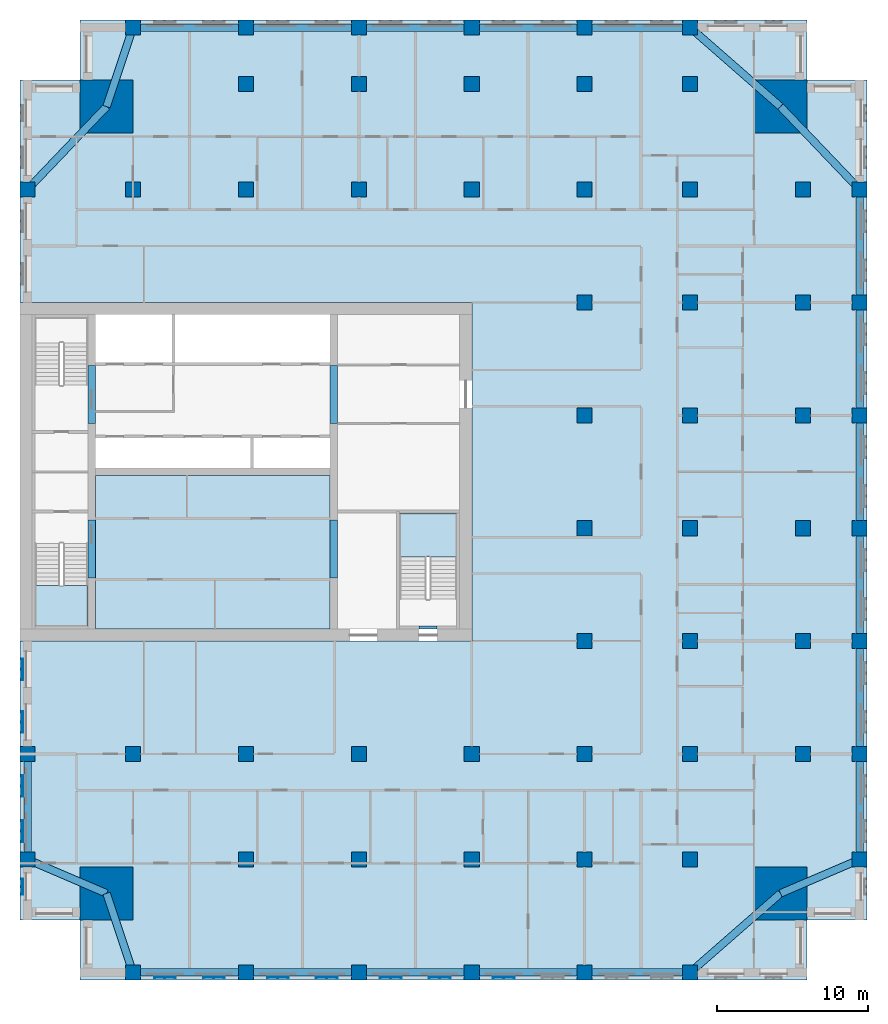
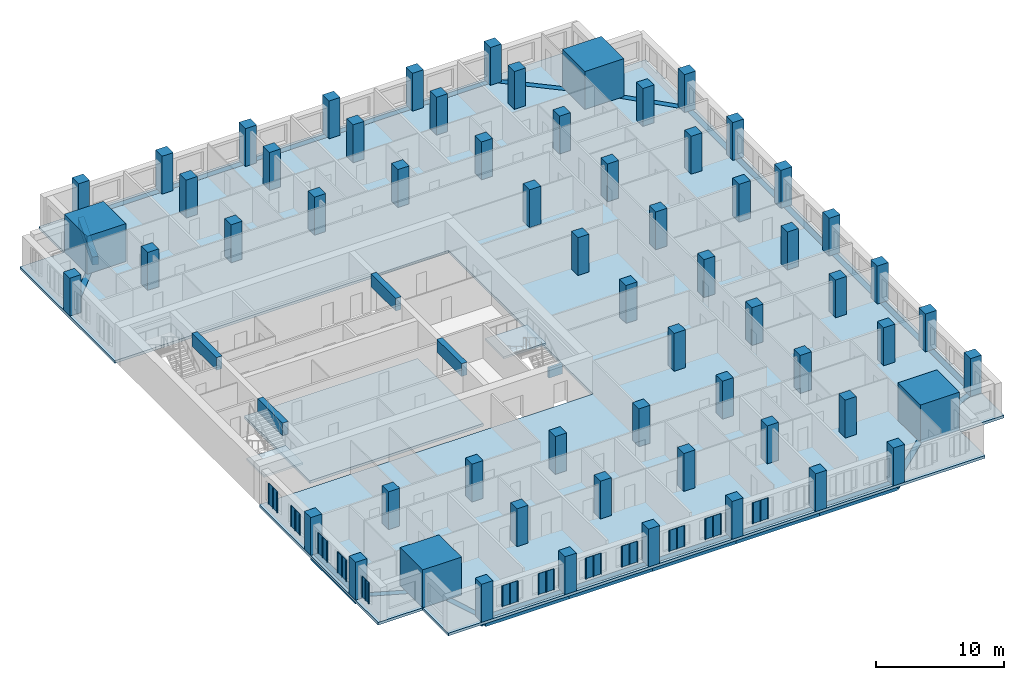
# One storey, part 1 of 14: 62 columns, 30 beams, 12 plates, 4 slabs, 2 elements without a shape of their own.
"""IFC4 building model written with IfcOpenShell, lengths in metres."""

from ifc_helpers import new_model, si_unit, direction, frame, origin, origin_2d, place, context, subcontext, project, spatial, polyline, rectangle, outline, extrude, material, layer, layer_set, material_profile, profile_set, type_object, element, aggregate, save


model = new_model("IFC4")

# Units and contexts
model_context = context("Model", 3, precision=1e-05, world=origin(), true_north=direction((0.0, 1.0)))
body_context = subcontext(model_context, "Body", "Model", "MODEL_VIEW")
ifc_project = project(units=[si_unit("LENGTHUNIT", "METRE"), si_unit("AREAUNIT", "SQUARE_METRE"), si_unit("VOLUMEUNIT", "CUBIC_METRE"), si_unit("PLANEANGLEUNIT", "RADIAN"), si_unit("MASSUNIT", "GRAM", prefix="KILO")], contexts=[model_context])

# Site, building, storey
site_placement = place(None, origin())
site = spatial("IfcSite", under=ifc_project, at=site_placement, CompositionType="ELEMENT")
building_placement = place(site_placement, origin())
building = spatial("IfcBuilding", under=site, at=building_placement, Name="Tamorin Gate", CompositionType="ELEMENT")
storey_placement = place(building_placement, frame((0.0, 0.0, 162.60009765625)))
storey = spatial("IfcBuildingStorey", under=building, at=storey_placement, Name="L40", CompositionType="ELEMENT", Elevation=162.60009765625)

# Columns
ifc_material_1 = material(Name="Concrete C70/85", Category="concrete")
ifc_material_profile_1 = material_profile(ifc_material_1, rectangle(XDim=1.0, YDim=1.0, at=origin_2d()), Name="RC 1000x1000")
ifc_profile_set_1 = profile_set([ifc_material_profile_1], Name="Concrete C70/85")
column_type_1 = type_object("IfcColumnType", Name="RC column 1000x1000 C70/85", PredefinedType="COLUMN", material=ifc_profile_set_1)
for number, where, z_axis, x_axis, name in (
    (1, (85.75, 45.5, 0.0), (0.0, 0.0, 1.0), (1.0, 0.0, 0.0), "Ring column L40"),
    (2, (85.75, 52.5, 0.0), (0.0, 0.0, 1.0), (1.0, 0.0, 0.0), "Ring column L40"),
    (3, (85.75, 60.0, 0.0), (0.0, 0.0, 1.0), (1.0, 0.0, 0.0), "Ring column L40"),
    (4, (85.75, 67.5, 0.0), (0.0, 0.0, 1.0), (1.0, 0.0, 0.0), "Ring column L40"),
    (5, (85.75, 75.0, 0.0), (0.0, 0.0, 1.0), (1.0, 0.0, 0.0), "Ring column L40"),
    (6, (85.75, 82.5, 0.0), (0.0, 0.0, 1.0), (1.0, 0.0, 0.0), "Ring column L40"),
    (7, (85.75, 90.0, 0.0), (0.0, 0.0, 1.0), (1.0, 0.0, 0.0), "Ring column L40"),
    (8, (37.5, 100.75, 0.0), (0.0, 0.0, 1.0), (1.0, 0.0, 0.0), "Ring column L40"),
    (9, (45.0, 100.75, 0.0), (0.0, 0.0, 1.0), (1.0, 0.0, 0.0), "Ring column L40"),
    (10, (52.5, 100.75, 0.0), (0.0, 0.0, 1.0), (1.0, 0.0, 0.0), "Ring column L40"),
    (11, (60.0, 100.75, 0.0), (0.0, 0.0, 1.0), (1.0, 0.0, 0.0), "Ring column L40"),
    (12, (67.5, 100.75, 0.0), (0.0, 0.0, 1.0), (1.0, 0.0, 0.0), "Ring column L40"),
    (13, (74.5, 100.75, 0.0), (0.0, 0.0, 1.0), (1.0, 0.0, 0.0), "Ring column L40"),
    (14, (30.5, 45.5, 0.0), (0.0, 0.0, 1.0), (1.0, 0.0, 0.0), "Ring column L40"),
    (15, (30.5, 52.5, 0.0), (0.0, 0.0, 1.0), (1.0, 0.0, 0.0), "Ring column L40"),
    (16, (30.5, 90.0, 0.0), (0.0, 0.0, 1.0), (1.0, 0.0, 0.0), "Ring column L40"),
    (17, (37.5, 38.0, 0.0), (0.0, 0.0, 1.0), (1.0, 0.0, 0.0), "Ring column L40"),
    (18, (37.5, 52.5, 0.0), (0.0, 0.0, 1.0), (1.0, 0.0, 0.0), "Interior column L40"),
    (19, (37.5, 90.0, 0.0), (0.0, 0.0, 1.0), (1.0, 0.0, 0.0), "Interior column L40"),
    (20, (45.0, 38.0, 0.0), (0.0, 0.0, 1.0), (1.0, 0.0, 0.0), "Ring column L40"),
    (21, (45.0, 45.5, 0.0), (0.0, 0.0, 1.0), (1.0, 0.0, 0.0), "Interior column L40"),
    (22, (45.0, 52.5, 0.0), (0.0, 0.0, 1.0), (1.0, 0.0, 0.0), "Interior column L40"),
    (23, (45.0, 90.0, 0.0), (0.0, 0.0, 1.0), (1.0, 0.0, 0.0), "Interior column L40"),
    (24, (45.0, 97.0, 0.0), (0.0, 0.0, 1.0), (1.0, 0.0, 0.0), "Interior column L40"),
    (25, (52.5, 38.0, 0.0), (0.0, 0.0, 1.0), (1.0, 0.0, 0.0), "Ring column L40"),
    (26, (52.5, 45.5, 0.0), (0.0, 0.0, 1.0), (1.0, 0.0, 0.0), "Interior column L40"),
    (27, (52.5, 52.5, 0.0), (0.0, 0.0, 1.0), (1.0, 0.0, 0.0), "Interior column L40"),
    (28, (52.5, 90.0, 0.0), (0.0, 0.0, 1.0), (1.0, 0.0, 0.0), "Interior column L40"),
    (29, (52.5, 97.0, 0.0), (0.0, 0.0, 1.0), (1.0, 0.0, 0.0), "Interior column L40"),
    (30, (60.0, 38.0, 0.0), (0.0, 0.0, 1.0), (1.0, 0.0, 0.0), "Ring column L40"),
    (31, (60.0, 45.5, 0.0), (0.0, 0.0, 1.0), (1.0, 0.0, 0.0), "Interior column L40"),
    (32, (60.0, 52.5, 0.0), (0.0, 0.0, 1.0), (1.0, 0.0, 0.0), "Interior column L40"),
    (33, (60.0, 90.0, 0.0), (0.0, 0.0, 1.0), (1.0, 0.0, 0.0), "Interior column L40"),
    (34, (60.0, 97.0, 0.0), (0.0, 0.0, 1.0), (1.0, 0.0, 0.0), "Interior column L40"),
    (35, (67.5, 38.0, 0.0), (0.0, 0.0, 1.0), (1.0, 0.0, 0.0), "Ring column L40"),
    (36, (67.5, 45.5, 0.0), (0.0, 0.0, 1.0), (1.0, 0.0, 0.0), "Interior column L40"),
    (37, (67.5, 52.5, 0.0), (0.0, 0.0, 1.0), (1.0, 0.0, 0.0), "Interior column L40"),
    (38, (67.5, 60.0, 0.0), (0.0, 0.0, 1.0), (1.0, 0.0, 0.0), "Interior column L40"),
    (39, (67.5, 67.5, 0.0), (0.0, 0.0, 1.0), (1.0, 0.0, 0.0), "Interior column L40"),
    (40, (67.5, 75.0, 0.0), (0.0, 0.0, 1.0), (1.0, 0.0, 0.0), "Interior column L40"),
    (41, (67.5, 82.5, 0.0), (0.0, 0.0, 1.0), (1.0, 0.0, 0.0), "Interior column L40"),
    (42, (67.5, 90.0, 0.0), (0.0, 0.0, 1.0), (1.0, 0.0, 0.0), "Interior column L40"),
    (43, (67.5, 97.0, 0.0), (0.0, 0.0, 1.0), (1.0, 0.0, 0.0), "Interior column L40"),
    (44, (74.5, 38.0, 0.0), (0.0, 0.0, 1.0), (1.0, 0.0, 0.0), "Ring column L40"),
    (45, (74.5, 45.5, 0.0), (0.0, 0.0, 1.0), (1.0, 0.0, 0.0), "Interior column L40"),
    (46, (74.5, 52.5, 0.0), (0.0, 0.0, 1.0), (1.0, 0.0, 0.0), "Interior column L40"),
    (47, (74.5, 60.0, 0.0), (0.0, 0.0, 1.0), (1.0, 0.0, 0.0), "Interior column L40"),
    (48, (74.5, 67.5, 0.0), (0.0, 0.0, 1.0), (1.0, 0.0, 0.0), "Interior column L40"),
    (49, (74.5, 75.0, 0.0), (0.0, 0.0, 1.0), (1.0, 0.0, 0.0), "Interior column L40"),
    (50, (74.5, 82.5, 0.0), (0.0, 0.0, 1.0), (1.0, 0.0, 0.0), "Interior column L40"),
    (51, (74.5, 90.0, 0.0), (0.0, 0.0, 1.0), (1.0, 0.0, 0.0), "Interior column L40"),
    (52, (74.5, 97.0, 0.0), (0.0, 0.0, 1.0), (1.0, 0.0, 0.0), "Interior column L40"),
    (53, (82.0, 52.5, 0.0), (0.0, 0.0, 1.0), (1.0, 0.0, 0.0), "Interior column L40"),
    (54, (82.0, 60.0, 0.0), (0.0, 0.0, 1.0), (1.0, 0.0, 0.0), "Interior column L40"),
    (55, (82.0, 67.5, 0.0), (0.0, 0.0, 1.0), (1.0, 0.0, 0.0), "Interior column L40"),
    (56, (82.0, 75.0, 0.0), (0.0, 0.0, 1.0), (1.0, 0.0, 0.0), "Interior column L40"),
    (57, (82.0, 82.5, 0.0), (0.0, 0.0, 1.0), (1.0, 0.0, 0.0), "Interior column L40"),
    (58, (82.0, 90.0, 0.0), (0.0, 0.0, 1.0), (1.0, 0.0, 0.0), "Interior column L40"),
):
    element("IfcColumn", number, at=place(storey_placement, frame(where, z_axis=z_axis, x_axis=x_axis)), inside=storey, type_object=column_type_1, Name=name, PredefinedType="COLUMN", context=body_context, shape_type="SweptSolid", body=[
        extrude(rectangle(XDim=1.0, YDim=1.0, at=origin_2d()), origin(), (0.0, 0.0, 1.0), 3.599853515625),
    ])
ifc_material_profile_2 = material_profile(ifc_material_1, rectangle(XDim=3.5, YDim=3.5, at=origin_2d()), Name="RC 3500x3500")
ifc_profile_set_2 = profile_set([ifc_material_profile_2], Name="Concrete C70/85")
column_type_2 = type_object("IfcColumnType", Name="RC column 3500x3500 C70/85", PredefinedType="COLUMN", material=ifc_profile_set_2)
for number, where, z_axis, x_axis, name in (
    (59, (35.75, 43.25, 0.0), (0.0, 0.0, 1.0), (1.0, 0.0, 0.0), "Mega column SW L40"),
    (60, (80.5, 43.25, 0.0), (0.0, 0.0, 1.0), (1.0, 0.0, 0.0), "Mega column SE L40"),
    (61, (35.75, 95.5, 0.0), (0.0, 0.0, 1.0), (1.0, 0.0, 0.0), "Mega column NW L40"),
    (62, (80.5, 95.5, 0.0), (0.0, 0.0, 1.0), (1.0, 0.0, 0.0), "Mega column NE L40"),
):
    element("IfcColumn", number, at=place(storey_placement, frame(where, z_axis=z_axis, x_axis=x_axis)), inside=storey, type_object=column_type_2, Name=name, PredefinedType="COLUMN", context=body_context, shape_type="SweptSolid", body=[
        extrude(rectangle(XDim=3.5, YDim=3.5, at=origin_2d()), origin(), (0.0, 0.0, 1.0), 3.599853515625),
    ])

# Beams
ifc_material_2 = material(Name="Concrete C60/75", Category="concrete")
ifc_material_profile_3 = material_profile(ifc_material_2, rectangle(XDim=0.5, YDim=1.199951171875, at=origin_2d()), Name="RC 500x1200")
ifc_profile_set_3 = profile_set([ifc_material_profile_3], Name="Concrete C60/75")
beam_type_1 = type_object("IfcBeamType", Name="RC coupling beam 500x1200 C60/75", PredefinedType="BEAM", material=ifc_profile_set_3)
for number, where, z_axis, x_axis, name in (
    (63, (34.75, 64.199951171875, 3.0), (0.0, 1.0, 0.0), (-1.0, 0.0, 0.0), "Coupling beam L40"),
    (64, (34.75, 74.449951171875, 3.0), (0.0, 1.0, 0.0), (-1.0, 0.0, 0.0), "Coupling beam L40"),
    (65, (50.85009765625, 64.199951171875, 3.0), (0.0, 1.0, 0.0), (-1.0, 0.0, 0.0), "Coupling beam L40"),
    (66, (50.85009765625, 74.449951171875, 3.0), (0.0, 1.0, 0.0), (-1.0, 0.0, 0.0), "Coupling beam L40"),
):
    element("IfcBeam", number, at=place(storey_placement, frame(where, z_axis=z_axis, x_axis=x_axis)), inside=storey, type_object=beam_type_1, Name=name, PredefinedType="BEAM", context=body_context, shape_type="SweptSolid", body=[
        extrude(rectangle(XDim=0.5, YDim=1.199951171875, at=origin_2d()), origin(), (0.0, 0.0, 1.0), 3.85009765625),
    ])
ifc_material_3 = material(Name="Concrete C50/60", Category="concrete")
ifc_material_profile_4 = material_profile(ifc_material_3, rectangle(XDim=0.5, YDim=0.75, at=origin_2d()), Name="RC 500x750")
ifc_profile_set_4 = profile_set([ifc_material_profile_4], Name="Concrete C50/60")
beam_type_2 = type_object("IfcBeamType", Name="RC spandrel 500x750 C50/60", PredefinedType="BEAM", material=ifc_profile_set_4)
for number, where, z_axis, x_axis, name in (
    (67, (37.5, 38.0, -0.375), (1.0, 0.0, 0.0), (0.0, 1.0, 0.0), "Spandrel beam L40"),
    (68, (45.0, 38.0, -0.375), (1.0, 0.0, 0.0), (0.0, 1.0, 0.0), "Spandrel beam L40"),
    (69, (52.5, 38.0, -0.375), (1.0, 0.0, 0.0), (0.0, 1.0, 0.0), "Spandrel beam L40"),
    (70, (60.0, 38.0, -0.375), (1.0, 0.0, 0.0), (0.0, 1.0, 0.0), "Spandrel beam L40"),
):
    element("IfcBeam", number, at=place(storey_placement, frame(where, z_axis=z_axis, x_axis=x_axis)), inside=storey, type_object=beam_type_2, Name=name, PredefinedType="BEAM", context=body_context, shape_type="SweptSolid", body=[
        extrude(rectangle(XDim=0.5, YDim=0.75, at=origin_2d()), origin(), (0.0, 0.0, 1.0), 7.5),
    ])
for number, where, z_axis, x_axis, name in (
    (71, (67.5, 38.0, -0.375), (1.0, 0.0, 0.0), (0.0, 1.0, 0.0), "Spandrel beam L40"),
    (72, (85.75, 45.5, -0.375), (0.0, 1.0, 0.0), (-1.0, 0.0, 0.0), "Spandrel beam L40"),
):
    element("IfcBeam", number, at=place(storey_placement, frame(where, z_axis=z_axis, x_axis=x_axis)), inside=storey, type_object=beam_type_2, Name=name, PredefinedType="BEAM", context=body_context, shape_type="SweptSolid", body=[
        extrude(rectangle(XDim=0.5, YDim=0.75, at=origin_2d()), origin(), (0.0, 0.0, 1.0), 7.0),
    ])
for number, where, z_axis, x_axis, name in (
    (73, (85.75, 52.5, -0.375), (0.0, 1.0, 0.0), (-1.0, 0.0, 0.0), "Spandrel beam L40"),
    (74, (85.75, 60.0, -0.375), (0.0, 1.0, 0.0), (-1.0, 0.0, 0.0), "Spandrel beam L40"),
    (75, (85.75, 67.5, -0.375), (0.0, 1.0, 0.0), (-1.0, 0.0, 0.0), "Spandrel beam L40"),
    (76, (85.75, 75.0, -0.375), (0.0, 1.0, 0.0), (-1.0, 0.0, 0.0), "Spandrel beam L40"),
    (77, (85.75, 82.5, -0.375), (0.0, 1.0, 0.0), (-1.0, 0.0, 0.0), "Spandrel beam L40"),
):
    element("IfcBeam", number, at=place(storey_placement, frame(where, z_axis=z_axis, x_axis=x_axis)), inside=storey, type_object=beam_type_2, Name=name, PredefinedType="BEAM", context=body_context, shape_type="SweptSolid", body=[
        extrude(rectangle(XDim=0.5, YDim=0.75, at=origin_2d()), origin(), (0.0, 0.0, 1.0), 7.5),
    ])
beam_1_placement = place(storey_placement, frame((74.5, 100.75, -0.375), z_axis=(-1.0, 0.0, 0.0), x_axis=(0.0, -1.0, 0.0)))
element("IfcBeam", 78, at=beam_1_placement, inside=storey, type_object=beam_type_2, Name="Spandrel beam L40", PredefinedType="BEAM", context=body_context, shape_type="SweptSolid", body=[
    extrude(rectangle(XDim=0.5, YDim=0.75, at=origin_2d()), origin(), (0.0, 0.0, 1.0), 7.0),
])
for number, where, z_axis, x_axis, name in (
    (79, (67.5, 100.75, -0.375), (-1.0, 0.0, 0.0), (0.0, -1.0, 0.0), "Spandrel beam L40"),
    (80, (60.0, 100.75, -0.375), (-1.0, 0.0, 0.0), (0.0, -1.0, 0.0), "Spandrel beam L40"),
    (81, (52.5, 100.75, -0.375), (-1.0, 0.0, 0.0), (0.0, -1.0, 0.0), "Spandrel beam L40"),
    (82, (45.0, 100.75, -0.375), (-1.0, 0.0, 0.0), (0.0, -1.0, 0.0), "Spandrel beam L40"),
):
    element("IfcBeam", number, at=place(storey_placement, frame(where, z_axis=z_axis, x_axis=x_axis)), inside=storey, type_object=beam_type_2, Name=name, PredefinedType="BEAM", context=body_context, shape_type="SweptSolid", body=[
        extrude(rectangle(XDim=0.5, YDim=0.75, at=origin_2d()), origin(), (0.0, 0.0, 1.0), 7.5),
    ])
beam_2_placement = place(storey_placement, frame((30.5, 52.5, -0.375), z_axis=(0.0, -1.0, 0.0), x_axis=(1.0, 0.0, 0.0)))
element("IfcBeam", 83, at=beam_2_placement, inside=storey, type_object=beam_type_2, Name="Spandrel beam L40", PredefinedType="BEAM", context=body_context, shape_type="SweptSolid", body=[
    extrude(rectangle(XDim=0.5, YDim=0.75, at=origin_2d()), origin(), (0.0, 0.0, 1.0), 7.0),
])
beam_3_placement = place(storey_placement, frame((35.75, 43.25, -0.375), z_axis=(0.316227766017, -0.948683298051, 0.0), x_axis=(0.948683298051, 0.316227766017, 0.0)))
element("IfcBeam", 84, at=beam_3_placement, inside=storey, type_object=beam_type_2, Name="Corner tie beam L40", PredefinedType="BEAM", context=body_context, shape_type="SweptSolid", body=[
    extrude(rectangle(XDim=0.5, YDim=0.75, at=origin_2d()), origin(), (0.0, 0.0, 1.0), 5.533935546875),
])
for number, where, z_axis, x_axis, name in (
    (85, (35.75, 43.25, -0.375), (-0.919145030018, 0.393919298579, 0.0), (-0.393919298579, -0.919145030018, 0.0), "Corner tie beam L40"),
    (86, (80.5, 43.25, -0.375), (0.919145030018, 0.393919298579, 0.0), (-0.393919298579, 0.919145030018, 0.0), "Corner tie beam L40"),
):
    element("IfcBeam", number, at=place(storey_placement, frame(where, z_axis=z_axis, x_axis=x_axis)), inside=storey, type_object=beam_type_2, Name=name, PredefinedType="BEAM", context=body_context, shape_type="SweptSolid", body=[
        extrude(rectangle(XDim=0.5, YDim=0.75, at=origin_2d()), origin(), (0.0, 0.0, 1.0), 5.7119140625),
    ])
beam_4_placement = place(storey_placement, frame((80.5, 43.25, -0.375), z_axis=(-0.752576694707, -0.658504607869, 0.0), x_axis=(0.658504607869, -0.752576694707, 0.0)))
element("IfcBeam", 87, at=beam_4_placement, inside=storey, type_object=beam_type_2, Name="Corner tie beam L40", PredefinedType="BEAM", context=body_context, shape_type="SweptSolid", body=[
    extrude(rectangle(XDim=0.5, YDim=0.75, at=origin_2d()), origin(), (0.0, 0.0, 1.0), 7.97265625),
])
beam_5_placement = place(storey_placement, frame((35.75, 95.5, -0.375), z_axis=(0.316227766017, 0.948683298051, 0.0), x_axis=(-0.948683298051, 0.316227766017, 0.0)))
element("IfcBeam", 88, at=beam_5_placement, inside=storey, type_object=beam_type_2, Name="Corner tie beam L40", PredefinedType="BEAM", context=body_context, shape_type="SweptSolid", body=[
    extrude(rectangle(XDim=0.5, YDim=0.75, at=origin_2d()), origin(), (0.0, 0.0, 1.0), 5.533935546875),
])
for number, where, z_axis, x_axis, name in (
    (89, (35.75, 95.5, -0.375), (-0.690475746683, -0.723355544144, 0.0), (0.723355544144, -0.690475746683, 0.0), "Corner tie beam L40"),
    (90, (80.5, 95.5, -0.375), (0.690475746683, -0.723355544144, 0.0), (0.723355544144, 0.690475746683, 0.0), "Corner tie beam L40"),
):
    element("IfcBeam", number, at=place(storey_placement, frame(where, z_axis=z_axis, x_axis=x_axis)), inside=storey, type_object=beam_type_2, Name=name, PredefinedType="BEAM", context=body_context, shape_type="SweptSolid", body=[
        extrude(rectangle(XDim=0.5, YDim=0.75, at=origin_2d()), origin(), (0.0, 0.0, 1.0), 7.603515625),
    ])
beam_6_placement = place(storey_placement, frame((80.5, 95.5, -0.375), z_axis=(-0.752576694707, 0.658504607869, 0.0), x_axis=(-0.658504607869, -0.752576694707, 0.0)))
element("IfcBeam", 91, at=beam_6_placement, inside=storey, type_object=beam_type_2, Name="Corner tie beam L40", PredefinedType="BEAM", context=body_context, shape_type="SweptSolid", body=[
    extrude(rectangle(XDim=0.5, YDim=0.75, at=origin_2d()), origin(), (0.0, 0.0, 1.0), 7.97265625),
])
ifc_material_profile_5 = material_profile(ifc_material_2, rectangle(XDim=0.199951171875, YDim=0.949951171875, at=origin_2d()))
ifc_profile_set_5 = profile_set([ifc_material_profile_5], Name="Concrete C60/75")
beam_type_3 = type_object("IfcBeamType", Name="Stair lintel 200x950 C60/75", PredefinedType="BEAM", material=ifc_profile_set_5)
beam_7_placement = place(storey_placement, frame((56.5, 60.89990234375, 2.71484375), z_axis=(1.0, 0.0, 0.0), x_axis=(0.0, 1.0, 0.0)))
element("IfcBeam", 92, at=beam_7_placement, inside=storey, type_object=beam_type_3, Name="Stair lintel", PredefinedType="BEAM", context=body_context, shape_type="SweptSolid", body=[
    extrude(rectangle(XDim=0.199951171875, YDim=0.949951171875, at=origin_2d()), origin(), (0.0, 0.0, 1.0), 1.199951171875),
])

# Slab
ifc_material_4 = material(Name="Concrete C40/50", Category="concrete")
ifc_layer_1 = layer(ifc_material_4, 0.25)
ifc_layer_set_1 = layer_set([ifc_layer_1], Name="Core floor slab 250 C40/50")
slab_type_1 = type_object("IfcSlabType", Name="Core floor slab 250 C40/50", PredefinedType="FLOOR", material=ifc_layer_set_1)
slab_1_placement = place(storey_placement, frame((0.0, 0.0, -0.25)))
element("IfcSlab", 93, at=slab_1_placement, inside=storey, type_object=slab_type_1, Name="Core floor L40", PredefinedType="FLOOR", context=body_context, shape_type="SweptSolid", body=[
    extrude(outline(polyline([(50.60009765625, 71.0), (50.60009765625, 60.800048828125), (35.0, 60.800048828125), (35.0, 71.0), (50.60009765625, 71.0)])), origin(), (0.0, 0.0, 1.0), 0.25),
])

# Stair, slab
stair_type = type_object("IfcStairType", Name="Exit stair", PredefinedType="HALF_TURN_STAIR", material=ifc_material_4)
stair_1_placement = place(storey_placement, origin())
stair_1 = element("IfcStair", 94, at=stair_1_placement, inside=storey, type_object=stair_type, Name="L40 stair ST1", PredefinedType="HALF_TURN_STAIR")
ifc_layer_2 = layer(ifc_material_4, 0.199951171875)
ifc_layer_set_2 = layer_set([ifc_layer_2], Name="Exit stair landing 200")
slab_type_2 = type_object("IfcSlabType", Name="Exit stair landing 200", PredefinedType="LANDING", material=ifc_layer_set_2)
slab_2_placement = place(storey_placement, frame((0.0, 0.0, 1.599853515625)))
slab_2 = element("IfcSlab", 95, at=slab_2_placement, type_object=slab_type_2, Name="ST1 landing 1", PredefinedType="LANDING", context=body_context, shape_type="SweptSolid", body=[
    extrude(outline(polyline([(31.0, 63.699951171875), (31.0, 61.0), (34.5, 61.0), (34.5, 63.699951171875), (31.0, 63.699951171875)])), origin(), (0.0, 0.0, 1.0), 0.199951171875),
])
aggregate(stair_1, [slab_2])

stair_2_placement = place(storey_placement, origin())
stair_2 = element("IfcStair", 96, at=stair_2_placement, inside=storey, type_object=stair_type, Name="L40 stair ST3", PredefinedType="HALF_TURN_STAIR")
slab_3_placement = place(storey_placement, frame((0.0, 0.0, 1.599853515625)))
slab_3 = element("IfcSlab", 97, at=slab_3_placement, type_object=slab_type_2, Name="ST3 landing 1", PredefinedType="LANDING", context=body_context, shape_type="SweptSolid", body=[
    extrude(outline(polyline([(59.0, 65.60009765625), (59.0, 68.5), (55.199951171875, 68.5), (55.199951171875, 65.60009765625), (59.0, 65.60009765625)])), origin(), (0.0, 0.0, 1.0), 0.199951171875),
])
aggregate(stair_2, [slab_3])

# Slab
ifc_layer_3 = layer(ifc_material_4, 0.25)
ifc_layer_set_3 = layer_set([ifc_layer_3], Name="Floor slab 250 C40/50")
slab_type_3 = type_object("IfcSlabType", Name="Floor slab 250 C40/50", PredefinedType="FLOOR", material=ifc_layer_set_3)
slab_4_placement = place(storey_placement, frame((0.0, 0.0, -0.25)))
element("IfcSlab", 98, at=slab_4_placement, inside=storey, type_object=slab_type_3, Name="Floor L40", PredefinedType="FLOOR", context=body_context, shape_type="SweptSolid", body=[
    extrude(outline(polyline([(30.0, 97.25), (34.0, 97.25), (34.0, 101.25), (82.25, 101.25), (82.25, 97.25), (86.25, 97.25), (86.25, 41.5), (82.25, 41.5), (82.25, 37.5), (34.0, 37.5), (34.0, 41.5), (30.0, 41.5), (30.0, 60.0), (60.0, 60.0), (60.0, 82.5), (30.0, 82.5), (30.0, 97.25)])), origin(), (0.0, 0.0, 1.0), 0.25),
])

# Plates
ifc_material_5 = material(Name="Perforated pale aluminium sheet", Category="aluminium")
ifc_layer_4 = layer(ifc_material_5, 0.0400390625)
ifc_layer_set_4 = layer_set([ifc_layer_4], Name="Pale metal solar screen 1080")
plate_type_1 = type_object("IfcPlateType", Name="Pale metal solar screen 1080", PredefinedType="SHEET", material=ifc_layer_set_4)
plate_1_placement = place(storey_placement, frame((0.0, 0.0, 0.7099609375)))
element("IfcPlate", 99, at=plate_1_placement, inside=storey, type_object=plate_type_1, Name="Perforated solar screen", PredefinedType="SHEET", context=body_context, shape_type="SweptSolid", body=[
    extrude(outline(polyline([(30.159912109375, 44.239990234375), (30.199951171875, 44.239990234375), (30.199951171875, 44.179931640625), (30.199951171875, 43.72998046875), (30.199951171875, 43.669921875), (30.199951171875, 43.219970703125), (30.199951171875, 43.159912109375), (30.159912109375, 43.159912109375), (30.10009765625, 43.159912109375), (30.10009765625, 43.219970703125), (30.159912109375, 43.219970703125), (30.159912109375, 43.669921875), (30.10009765625, 43.669921875), (30.10009765625, 43.72998046875), (30.159912109375, 43.72998046875), (30.159912109375, 44.179931640625), (30.10009765625, 44.179931640625), (30.10009765625, 44.239990234375), (30.159912109375, 44.239990234375)])), origin(), (0.0, 0.0, 1.0), 1.97998046875),
])
ifc_layer_5 = layer(ifc_material_5, 0.0400390625)
ifc_layer_set_5 = layer_set([ifc_layer_5], Name="Pale metal solar screen 1440")
plate_type_2 = type_object("IfcPlateType", Name="Pale metal solar screen 1440", PredefinedType="SHEET", material=ifc_layer_set_5)
plate_2_placement = place(storey_placement, frame((0.0, 0.0, 0.7099609375)))
element("IfcPlate", 100, at=plate_2_placement, inside=storey, type_object=plate_type_2, Name="Perforated solar screen", PredefinedType="SHEET", context=body_context, shape_type="SweptSolid", body=[
    extrude(outline(polyline([(38.905029296875, 37.659912109375), (38.905029296875, 37.699951171875), (38.965087890625, 37.699951171875), (39.594970703125, 37.699951171875), (39.655029296875, 37.699951171875), (40.284912109375, 37.699951171875), (40.344970703125, 37.699951171875), (40.344970703125, 37.699951171875), (40.344970703125, 37.659912109375), (40.344970703125, 37.659912109375), (40.344970703125, 37.60009765625), (40.284912109375, 37.60009765625), (40.284912109375, 37.659912109375), (39.655029296875, 37.659912109375), (39.655029296875, 37.60009765625), (39.594970703125, 37.60009765625), (39.594970703125, 37.659912109375), (38.965087890625, 37.659912109375), (38.965087890625, 37.60009765625), (38.905029296875, 37.60009765625), (38.905029296875, 37.659912109375)])), origin(), (0.0, 0.0, 1.0), 1.97998046875),
])
plate_3_placement = place(storey_placement, frame((0.0, 0.0, 0.7099609375)))
element("IfcPlate", 101, at=plate_3_placement, inside=storey, type_object=plate_type_2, Name="Perforated solar screen", PredefinedType="SHEET", context=body_context, shape_type="SweptSolid", body=[
    extrude(outline(polyline([(42.155029296875, 37.659912109375), (42.155029296875, 37.699951171875), (42.215087890625, 37.699951171875), (42.844970703125, 37.699951171875), (42.905029296875, 37.699951171875), (43.534912109375, 37.699951171875), (43.594970703125, 37.699951171875), (43.594970703125, 37.659912109375), (43.594970703125, 37.60009765625), (43.534912109375, 37.60009765625), (43.534912109375, 37.659912109375), (42.905029296875, 37.659912109375), (42.905029296875, 37.60009765625), (42.844970703125, 37.60009765625), (42.844970703125, 37.659912109375), (42.215087890625, 37.659912109375), (42.215087890625, 37.60009765625), (42.155029296875, 37.60009765625), (42.155029296875, 37.659912109375)])), origin(), (0.0, 0.0, 1.0), 1.97998046875),
])
plate_4_placement = place(storey_placement, frame((0.0, 0.0, 0.7099609375)))
element("IfcPlate", 102, at=plate_4_placement, inside=storey, type_object=plate_type_2, Name="Perforated solar screen", PredefinedType="SHEET", context=body_context, shape_type="SweptSolid", body=[
    extrude(outline(polyline([(46.405029296875, 37.659912109375), (46.405029296875, 37.699951171875), (46.465087890625, 37.699951171875), (47.094970703125, 37.699951171875), (47.155029296875, 37.699951171875), (47.784912109375, 37.699951171875), (47.844970703125, 37.699951171875), (47.844970703125, 37.659912109375), (47.844970703125, 37.60009765625), (47.784912109375, 37.60009765625), (47.784912109375, 37.659912109375), (47.155029296875, 37.659912109375), (47.155029296875, 37.60009765625), (47.094970703125, 37.60009765625), (47.094970703125, 37.659912109375), (46.465087890625, 37.659912109375), (46.465087890625, 37.60009765625), (46.405029296875, 37.60009765625), (46.405029296875, 37.659912109375)])), origin(), (0.0, 0.0, 1.0), 1.97998046875),
])
plate_5_placement = place(storey_placement, frame((0.0, 0.0, 0.7099609375)))
element("IfcPlate", 103, at=plate_5_placement, inside=storey, type_object=plate_type_2, Name="Perforated solar screen", PredefinedType="SHEET", context=body_context, shape_type="SweptSolid", body=[
    extrude(outline(polyline([(49.655029296875, 37.659912109375), (49.655029296875, 37.699951171875), (49.715087890625, 37.699951171875), (50.344970703125, 37.699951171875), (50.405029296875, 37.699951171875), (51.034912109375, 37.699951171875), (51.094970703125, 37.699951171875), (51.094970703125, 37.659912109375), (51.094970703125, 37.60009765625), (51.034912109375, 37.60009765625), (51.034912109375, 37.659912109375), (50.405029296875, 37.659912109375), (50.405029296875, 37.60009765625), (50.344970703125, 37.60009765625), (50.344970703125, 37.659912109375), (49.715087890625, 37.659912109375), (49.715087890625, 37.60009765625), (49.655029296875, 37.60009765625), (49.655029296875, 37.659912109375)])), origin(), (0.0, 0.0, 1.0), 1.97998046875),
])
plate_6_placement = place(storey_placement, frame((0.0, 0.0, 0.7099609375)))
element("IfcPlate", 104, at=plate_6_placement, inside=storey, type_object=plate_type_2, Name="Perforated solar screen", PredefinedType="SHEET", context=body_context, shape_type="SweptSolid", body=[
    extrude(outline(polyline([(53.905029296875, 37.659912109375), (53.905029296875, 37.699951171875), (53.965087890625, 37.699951171875), (54.594970703125, 37.699951171875), (54.655029296875, 37.699951171875), (55.284912109375, 37.699951171875), (55.344970703125, 37.699951171875), (55.344970703125, 37.659912109375), (55.344970703125, 37.60009765625), (55.284912109375, 37.60009765625), (55.284912109375, 37.659912109375), (54.655029296875, 37.659912109375), (54.655029296875, 37.60009765625), (54.594970703125, 37.60009765625), (54.594970703125, 37.659912109375), (53.965087890625, 37.659912109375), (53.965087890625, 37.60009765625), (53.905029296875, 37.60009765625), (53.905029296875, 37.659912109375)])), origin(), (0.0, 0.0, 1.0), 1.97998046875),
])
plate_7_placement = place(storey_placement, frame((0.0, 0.0, 0.7099609375)))
element("IfcPlate", 105, at=plate_7_placement, inside=storey, type_object=plate_type_2, Name="Perforated solar screen", PredefinedType="SHEET", context=body_context, shape_type="SweptSolid", body=[
    extrude(outline(polyline([(57.155029296875, 37.659912109375), (57.155029296875, 37.699951171875), (57.215087890625, 37.699951171875), (57.844970703125, 37.699951171875), (57.905029296875, 37.699951171875), (58.534912109375, 37.699951171875), (58.594970703125, 37.699951171875), (58.594970703125, 37.659912109375), (58.594970703125, 37.60009765625), (58.534912109375, 37.60009765625), (58.534912109375, 37.659912109375), (57.905029296875, 37.659912109375), (57.905029296875, 37.60009765625), (57.844970703125, 37.60009765625), (57.844970703125, 37.659912109375), (57.215087890625, 37.659912109375), (57.215087890625, 37.60009765625), (57.155029296875, 37.60009765625), (57.155029296875, 37.659912109375)])), origin(), (0.0, 0.0, 1.0), 1.97998046875),
])
plate_8_placement = place(storey_placement, frame((0.0, 0.0, 0.7099609375)))
element("IfcPlate", 106, at=plate_8_placement, inside=storey, type_object=plate_type_2, Name="Perforated solar screen", PredefinedType="SHEET", context=body_context, shape_type="SweptSolid", body=[
    extrude(outline(polyline([(61.405029296875, 37.659912109375), (61.405029296875, 37.699951171875), (61.465087890625, 37.699951171875), (62.094970703125, 37.699951171875), (62.155029296875, 37.699951171875), (62.784912109375, 37.699951171875), (62.844970703125, 37.699951171875), (62.844970703125, 37.659912109375), (62.844970703125, 37.60009765625), (62.784912109375, 37.60009765625), (62.784912109375, 37.659912109375), (62.155029296875, 37.659912109375), (62.155029296875, 37.60009765625), (62.094970703125, 37.60009765625), (62.094970703125, 37.659912109375), (61.465087890625, 37.659912109375), (61.465087890625, 37.60009765625), (61.405029296875, 37.60009765625), (61.405029296875, 37.659912109375)])), origin(), (0.0, 0.0, 1.0), 1.97998046875),
])
plate_9_placement = place(storey_placement, frame((0.0, 0.0, 0.7099609375)))
element("IfcPlate", 107, at=plate_9_placement, inside=storey, type_object=plate_type_2, Name="Perforated solar screen", PredefinedType="SHEET", context=body_context, shape_type="SweptSolid", body=[
    extrude(outline(polyline([(30.159912109375, 55.344970703125), (30.199951171875, 55.344970703125), (30.199951171875, 55.284912109375), (30.199951171875, 54.655029296875), (30.199951171875, 54.594970703125), (30.199951171875, 53.965087890625), (30.199951171875, 53.905029296875), (30.159912109375, 53.905029296875), (30.10009765625, 53.905029296875), (30.10009765625, 53.965087890625), (30.159912109375, 53.965087890625), (30.159912109375, 54.594970703125), (30.10009765625, 54.594970703125), (30.10009765625, 54.655029296875), (30.159912109375, 54.655029296875), (30.159912109375, 55.284912109375), (30.10009765625, 55.284912109375), (30.10009765625, 55.344970703125), (30.159912109375, 55.344970703125)])), origin(), (0.0, 0.0, 1.0), 1.97998046875),
])
plate_10_placement = place(storey_placement, frame((0.0, 0.0, 0.7099609375)))
element("IfcPlate", 108, at=plate_10_placement, inside=storey, type_object=plate_type_2, Name="Perforated solar screen", PredefinedType="SHEET", context=body_context, shape_type="SweptSolid", body=[
    extrude(outline(polyline([(30.159912109375, 58.844970703125), (30.199951171875, 58.844970703125), (30.199951171875, 58.784912109375), (30.199951171875, 58.155029296875), (30.199951171875, 58.094970703125), (30.199951171875, 57.465087890625), (30.199951171875, 57.405029296875), (30.159912109375, 57.405029296875), (30.10009765625, 57.405029296875), (30.10009765625, 57.465087890625), (30.159912109375, 57.465087890625), (30.159912109375, 58.094970703125), (30.10009765625, 58.094970703125), (30.10009765625, 58.155029296875), (30.159912109375, 58.155029296875), (30.159912109375, 58.784912109375), (30.10009765625, 58.784912109375), (30.10009765625, 58.844970703125), (30.159912109375, 58.844970703125)])), origin(), (0.0, 0.0, 1.0), 1.97998046875),
])
plate_11_placement = place(storey_placement, frame((0.0, 0.0, 0.7099609375)))
element("IfcPlate", 109, at=plate_11_placement, inside=storey, type_object=plate_type_2, Name="Perforated solar screen", PredefinedType="SHEET", context=body_context, shape_type="SweptSolid", body=[
    extrude(outline(polyline([(30.159912109375, 48.094970703125), (30.199951171875, 48.094970703125), (30.199951171875, 48.034912109375), (30.199951171875, 47.405029296875), (30.199951171875, 47.344970703125), (30.199951171875, 46.715087890625), (30.199951171875, 46.655029296875), (30.159912109375, 46.655029296875), (30.10009765625, 46.655029296875), (30.10009765625, 46.715087890625), (30.159912109375, 46.715087890625), (30.159912109375, 47.344970703125), (30.10009765625, 47.344970703125), (30.10009765625, 47.405029296875), (30.159912109375, 47.405029296875), (30.159912109375, 48.034912109375), (30.10009765625, 48.034912109375), (30.10009765625, 48.094970703125), (30.159912109375, 48.094970703125)])), origin(), (0.0, 0.0, 1.0), 1.97998046875),
])
plate_12_placement = place(storey_placement, frame((0.0, 0.0, 0.7099609375)))
element("IfcPlate", 110, at=plate_12_placement, inside=storey, type_object=plate_type_2, Name="Perforated solar screen", PredefinedType="SHEET", context=body_context, shape_type="SweptSolid", body=[
    extrude(outline(polyline([(30.159912109375, 51.094970703125), (30.199951171875, 51.094970703125), (30.199951171875, 51.034912109375), (30.199951171875, 50.405029296875), (30.199951171875, 50.344970703125), (30.199951171875, 49.715087890625), (30.199951171875, 49.655029296875), (30.159912109375, 49.655029296875), (30.10009765625, 49.655029296875), (30.10009765625, 49.715087890625), (30.159912109375, 49.715087890625), (30.159912109375, 50.344970703125), (30.10009765625, 50.344970703125), (30.10009765625, 50.405029296875), (30.159912109375, 50.405029296875), (30.159912109375, 51.034912109375), (30.10009765625, 51.034912109375), (30.10009765625, 51.094970703125), (30.159912109375, 51.094970703125)])), origin(), (0.0, 0.0, 1.0), 1.97998046875),
])

save(model, "model.ifc")
